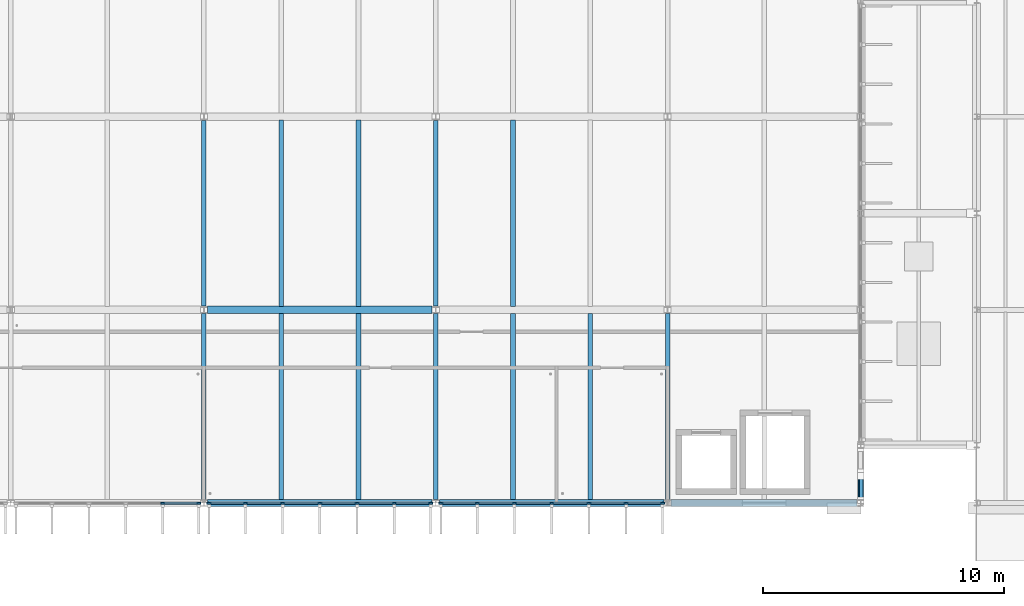
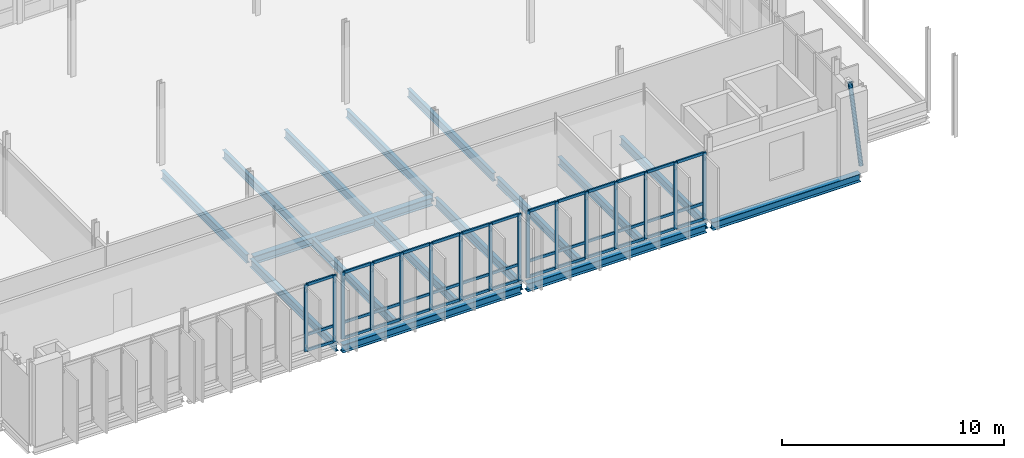
# One storey, part 30 of 93: 56 members, 16 beams, 3 elements without a shape of their own.
"""IFC4 building model written with IfcOpenShell, lengths in metres."""

import ifcopenshell
import ifcopenshell.guid

model = None  # the IFC model being written
_history = None  # IfcOwnerHistory: only IFC2X3 demands one
_inside = {}  # id of a spatial element -> (the spatial element, [elements in it])
_under = {}  # id of a project, library or spatial element -> (it, [spatial elements below it])
_declared = {}  # id of a project -> (the project, [libraries it declares])
_typed = {}  # id of a type object -> (the type object, [elements of that type])
_made_of = {}  # id of a material, layer set ... -> (it, [elements and type objects made of it])


def new_model(schema):
    """Start an empty IFC model of exactly this schema.

    Asked for "IFC4X3", IfcOpenShell would pick the latest addendum, in which some entities
    have other attributes; the version numbers below select the first issue.
    IFC2X3 requires an IfcOwnerHistory on every rooted entity: one is made here for all.
    """
    global model, _history
    if schema == "IFC4X3":
        model = ifcopenshell.file(schema_version=(4, 3, 0, 0))
    else:
        model = ifcopenshell.file(schema=schema)
    _inside.clear()
    _under.clear()
    _declared.clear()
    _typed.clear()
    _made_of.clear()
    _history = None
    if model.schema == "IFC2X3":
        org = make("IfcOrganization", Name="unknown")
        user = make(
            "IfcPersonAndOrganization",
            ThePerson=make("IfcPerson", FamilyName="unknown"),
            TheOrganization=org,
        )
        app = make(
            "IfcApplication",
            ApplicationDeveloper=org,
            Version="unknown",
            ApplicationFullName="unknown",
            ApplicationIdentifier="unknown",
        )
        _history = make(
            "IfcOwnerHistory",
            OwningUser=user,
            OwningApplication=app,
            ChangeAction="ADDED",
            CreationDate=0,
        )
    return model


def make(cls, **values):
    """One entity of the class cls with the attributes given. An attribute that is None is left unset."""
    return model.create_entity(
        cls, **{name: value for name, value in values.items() if value is not None}
    )


def rooted(cls, **values):
    """An entity with a GlobalId (a new one), such as an element, a storey or a relation."""
    return make(cls, GlobalId=ifcopenshell.guid.new(), OwnerHistory=_history, **values)


def si_unit(unit_type, name, prefix=None):
    """IfcSIUnit, for example si_unit("LENGTHUNIT", "METRE", prefix="MILLI")."""
    return make("IfcSIUnit", UnitType=unit_type, Prefix=prefix, Name=name)


def assignment(units):
    """IfcUnitAssignment: the units of a project."""
    return None if units is None else make("IfcUnitAssignment", Units=units)


def point(xyz):
    """IfcCartesianPoint."""
    return None if xyz is None else make("IfcCartesianPoint", Coordinates=xyz)


def direction(xyz):
    """IfcDirection."""
    return None if xyz is None else make("IfcDirection", DirectionRatios=xyz)


def frame(location, z_axis=None, x_axis=None):
    """IfcAxis2Placement3D, a coordinate frame: its origin and axes. An axis left out is left unset."""
    return make(
        "IfcAxis2Placement3D",
        Location=point(location),
        Axis=direction(z_axis),
        RefDirection=direction(x_axis),
    )


def frame_2d(location, x_axis=None):
    """IfcAxis2Placement2D, a coordinate frame in the plane: its origin and x axis."""
    return make(
        "IfcAxis2Placement2D", Location=point(location), RefDirection=direction(x_axis)
    )


def origin():
    """The frame at (0, 0, 0) with its axes left unset."""
    return frame((0.0, 0.0, 0.0))


def origin_2d():
    """The frame at (0, 0) in the plane with its x axis left unset."""
    return frame_2d((0.0, 0.0))


def place(relative_to, where):
    """IfcLocalPlacement: puts the frame where relative to a parent placement (None: the world)."""
    return make(
        "IfcLocalPlacement", PlacementRelTo=relative_to, RelativePlacement=where
    )


def context(
    kind, dimensions, precision=None, world=None, true_north=None, identifier=None
):
    """IfcGeometricRepresentationContext, for example the 3D "Model" context."""
    return make(
        "IfcGeometricRepresentationContext",
        ContextIdentifier=identifier,
        ContextType=kind,
        CoordinateSpaceDimension=dimensions,
        Precision=precision,
        WorldCoordinateSystem=world,
        TrueNorth=true_north,
    )


def subcontext(parent, identifier, kind, view, scale=None):
    """IfcGeometricRepresentationSubContext, for example "Body" below "Model"."""
    return make(
        "IfcGeometricRepresentationSubContext",
        ContextIdentifier=identifier,
        ContextType=kind,
        ParentContext=parent,
        TargetScale=scale,
        TargetView=view,
    )


def project(units=None, contexts=None):
    """IfcProject with its units and contexts."""
    return rooted(
        "IfcProject",
        Name="project",
        RepresentationContexts=contexts,
        UnitsInContext=assignment(units),
    )


def spatial(cls, under=None, at=None, **own):
    """A site, building, storey or space (cls), placed at a placement, below another one or the project."""
    s = rooted(cls, ObjectPlacement=at, **own)
    if under is not None:
        _under.setdefault(under.id(), (under, []))[1].append(s)
    return s


def profile(cls, at=None, kind="AREA", **sizes):
    """A parametric profile (cls). Its sizes go by their IFC names, for example OverallWidth=200.0."""
    return make(cls, ProfileType=kind, Position=at, **sizes)


def rectangle(**sizes):
    """IfcRectangleProfileDef."""
    return profile("IfcRectangleProfileDef", **sizes)


def hollow_circle(**sizes):
    """IfcCircleHollowProfileDef."""
    return profile("IfcCircleHollowProfileDef", **sizes)


def i_section(**sizes):
    """IfcIShapeProfileDef."""
    return profile("IfcIShapeProfileDef", **sizes)


def extrude(swept, where, along, depth):
    """IfcExtrudedAreaSolid: the profile swept, set in the frame where, extruded along a direction by depth."""
    return make(
        "IfcExtrudedAreaSolid",
        SweptArea=swept,
        Position=where,
        ExtrudedDirection=direction(along),
        Depth=depth,
    )


def shape(context_of_items, identifier, shape_type, items):
    """IfcShapeRepresentation: the items that make up one representation, for example the "Body"."""
    return make(
        "IfcShapeRepresentation",
        ContextOfItems=context_of_items,
        RepresentationIdentifier=identifier,
        RepresentationType=shape_type,
        Items=items,
    )


def material(Name=None, Category=None):
    """IfcMaterial."""
    return make("IfcMaterial", Name=Name, Category=Category)


def material_profile(
    of_material, cross_section, Name=None, Category=None, Priority=None
):
    """IfcMaterialProfile: a cross section and its material."""
    return make(
        "IfcMaterialProfile",
        Name=Name,
        Material=of_material,
        Profile=cross_section,
        Priority=Priority,
        Category=Category,
    )


def profile_set(profiles, Name=None, composite=None):
    """IfcMaterialProfileSet."""
    return make(
        "IfcMaterialProfileSet",
        Name=Name,
        MaterialProfiles=profiles,
        CompositeProfile=composite,
    )


def made_of(thing, what):
    """Note that an element or type object is made of a material, layer set ...; save() writes the relation."""
    if what is not None:
        _made_of.setdefault(what.id(), (what, []))[1].append(thing)
    return thing


def type_object(cls, material=None, **own):
    """A type object (cls), such as IfcWallType, which elements share."""
    return made_of(rooted(cls, **own), material)


def element(
    cls,
    number,
    at=None,
    inside=None,
    cuts=None,
    type_object=None,
    material=None,
    context=None,
    identifier="Body",
    shape_type=None,
    held_by="IfcProductDefinitionShape",
    body=None,
    shapes=None,
    **own,
):
    """One element of the class cls, such as IfcWall. Its Tag is "e" and its number.

    at: its placement. inside: the storey or other place that contains it. cuts: it is an
    opening in that element (IfcRelVoidsElement). A single representation is given by context,
    identifier, shape_type and body (its items); several are given by shapes. held_by: the class
    of the entity that holds the representations. save() writes the other relations.
    """
    e = rooted(cls, Tag="e%d" % number, ObjectPlacement=at, **own)
    if body is not None:
        shapes = [shape(context, identifier, shape_type, body)]
    if shapes is not None:
        e.Representation = make(held_by, Representations=shapes)
    if inside is not None:
        _inside.setdefault(inside.id(), (inside, []))[1].append(e)
    if cuts is not None:
        rooted(
            "IfcRelVoidsElement", RelatingBuildingElement=cuts, RelatedOpeningElement=e
        )
    if type_object is not None:
        _typed.setdefault(type_object.id(), (type_object, []))[1].append(e)
    return made_of(e, material)


def aggregate(whole, parts):
    """IfcRelAggregates: a whole, such as a stair, and the parts it consists of."""
    return rooted("IfcRelAggregates", RelatingObject=whole, RelatedObjects=parts)


def save(model, path):
    """Write the relations noted so far, then the file.

    IfcRelAggregates (storeys below a building ...), IfcRelContainedInSpatialStructure (elements
    in a storey), IfcRelDefinesByType, IfcRelAssociatesMaterial and IfcRelDeclares: one each for
    every whole, place, type object, material and project.
    """
    for whole, parts in _under.values():
        aggregate(whole, parts)
    for where, things in _inside.values():
        rooted(
            "IfcRelContainedInSpatialStructure",
            RelatedElements=things,
            RelatingStructure=where,
        )
    for kind, things in _typed.values():
        rooted("IfcRelDefinesByType", RelatedObjects=things, RelatingType=kind)
    for what, things in _made_of.values():
        rooted("IfcRelAssociatesMaterial", RelatedObjects=things, RelatingMaterial=what)
    for by, libraries in _declared.values():
        rooted("IfcRelDeclares", RelatingContext=by, RelatedDefinitions=libraries)
    model.write(path)


model = new_model("IFC4")

# Units and contexts
model_context = context("Model", 3, precision=1e-05, world=origin(), true_north=direction((0.0, 1.0)))
body_context = subcontext(model_context, "Body", "Model", "MODEL_VIEW")
ifc_project = project(units=[si_unit("LENGTHUNIT", "METRE"), si_unit("AREAUNIT", "SQUARE_METRE"), si_unit("VOLUMEUNIT", "CUBIC_METRE"), si_unit("PLANEANGLEUNIT", "RADIAN"), si_unit("MASSUNIT", "GRAM", prefix="KILO")], contexts=[model_context])

# Site, building, storey
site_placement = place(None, origin())
site = spatial("IfcSite", under=ifc_project, at=site_placement, CompositionType="ELEMENT")
building_placement = place(site_placement, origin())
building = spatial("IfcBuilding", under=site, at=building_placement, Name="Dunescarp Central Library", CompositionType="ELEMENT")
storey_placement = place(building_placement, frame((0.0, 0.0, 14.10009765625)))
storey = spatial("IfcBuildingStorey", under=building, at=storey_placement, Name="L03", CompositionType="ELEMENT", Elevation=14.10009765625)

# Curtain wall, members
ifc_material_1 = material(Name="Marine-grade anodised aluminium 6063-T6", Category="aluminium")
curtain_wall_type = type_object("IfcCurtainWallType", Name="ARC-CW-STICK", PredefinedType="NOTDEFINED", material=ifc_material_1)
curtain_wall_1_placement = place(storey_placement, origin())
curtain_wall_1 = element("IfcCurtainWall", 1, at=curtain_wall_1_placement, inside=storey, type_object=curtain_wall_type, Name="L03 curtain wall CW-V3-099", PredefinedType="NOTDEFINED")
ifc_material_profile_1 = material_profile(ifc_material_1, rectangle(XDim=0.080078125, YDim=0.179931640625, at=origin_2d()), Name="AL 80x180")
ifc_profile_set_1 = profile_set([ifc_material_profile_1], Name="Marine-grade anodised aluminium 6063-T6")
member_type_1 = type_object("IfcMemberType", Name="ARC-CWM-180", PredefinedType="MULLION", material=ifc_profile_set_1)
member_1_placement = place(storey_placement, frame((97.385009765625, 4.800048828125, 0.0), z_axis=(0.0, 0.0, 1.0), x_axis=(0.0, -1.0, 0.0)))
member_1 = element("IfcMember", 2, at=member_1_placement, type_object=member_type_1, Name="CW-V3-099 mullion 1", PredefinedType="MULLION", context=body_context, shape_type="SweptSolid", body=[
    extrude(rectangle(XDim=0.080078125, YDim=0.179931640625, at=origin_2d()), origin(), (0.0, 0.0, 1.0), 3.6748046875),
])
member_2_placement = place(storey_placement, frame((95.89501953125, 4.800048828125, 0.0), z_axis=(0.0, 0.0, 1.0), x_axis=(0.0, -1.0, 0.0)))
member_2 = element("IfcMember", 3, at=member_2_placement, type_object=member_type_1, Name="CW-V3-099 mullion 2", PredefinedType="MULLION", context=body_context, shape_type="SweptSolid", body=[
    extrude(rectangle(XDim=0.080078125, YDim=0.179931640625, at=origin_2d()), origin(), (0.0, 0.0, 1.0), 3.6748046875),
])

curtain_wall_2_placement = place(storey_placement, origin())
curtain_wall_2 = element("IfcCurtainWall", 4, at=curtain_wall_2_placement, inside=storey, type_object=curtain_wall_type, Name="L03 curtain wall CW-V3-100", PredefinedType="NOTDEFINED")
member_3_placement = place(storey_placement, frame((106.985107421875, 4.800048828125, 0.0), z_axis=(0.0, 0.0, 1.0), x_axis=(0.0, -1.0, 0.0)))
member_3 = element("IfcMember", 5, at=member_3_placement, type_object=member_type_1, Name="CW-V3-100 mullion 1", PredefinedType="MULLION", context=body_context, shape_type="SweptSolid", body=[
    extrude(rectangle(XDim=0.080078125, YDim=0.179931640625, at=origin_2d()), origin(), (0.0, 0.0, 1.0), 3.6748046875),
])
member_4_placement = place(storey_placement, frame((105.4833984375, 4.800048828125, 0.0), z_axis=(0.0, 0.0, 1.0), x_axis=(0.0, -1.0, 0.0)))
member_4 = element("IfcMember", 6, at=member_4_placement, type_object=member_type_1, Name="CW-V3-100 mullion 2", PredefinedType="MULLION", context=body_context, shape_type="SweptSolid", body=[
    extrude(rectangle(XDim=0.080078125, YDim=0.179931640625, at=origin_2d()), origin(), (0.0, 0.0, 1.0), 3.6748046875),
])
member_5_placement = place(storey_placement, frame((103.941650390625, 4.800048828125, 0.0), z_axis=(0.0, 0.0, 1.0), x_axis=(0.0, -1.0, 0.0)))
member_5 = element("IfcMember", 7, at=member_5_placement, type_object=member_type_1, Name="CW-V3-100 mullion 3", PredefinedType="MULLION", context=body_context, shape_type="SweptSolid", body=[
    extrude(rectangle(XDim=0.080078125, YDim=0.179931640625, at=origin_2d()), origin(), (0.0, 0.0, 1.0), 3.6748046875),
])
member_6_placement = place(storey_placement, frame((102.39990234375, 4.800048828125, 0.0), z_axis=(0.0, 0.0, 1.0), x_axis=(0.0, -1.0, 0.0)))
member_6 = element("IfcMember", 8, at=member_6_placement, type_object=member_type_1, Name="CW-V3-100 mullion 4", PredefinedType="MULLION", context=body_context, shape_type="SweptSolid", body=[
    extrude(rectangle(XDim=0.080078125, YDim=0.179931640625, at=origin_2d()), origin(), (0.0, 0.0, 1.0), 3.6748046875),
])
member_7_placement = place(storey_placement, frame((100.8583984375, 4.800048828125, 0.0), z_axis=(0.0, 0.0, 1.0), x_axis=(0.0, -1.0, 0.0)))
member_7 = element("IfcMember", 9, at=member_7_placement, type_object=member_type_1, Name="CW-V3-100 mullion 5", PredefinedType="MULLION", context=body_context, shape_type="SweptSolid", body=[
    extrude(rectangle(XDim=0.080078125, YDim=0.179931640625, at=origin_2d()), origin(), (0.0, 0.0, 1.0), 3.6748046875),
])
member_8_placement = place(storey_placement, frame((99.316650390625, 4.800048828125, 0.0), z_axis=(0.0, 0.0, 1.0), x_axis=(0.0, -1.0, 0.0)))
member_8 = element("IfcMember", 10, at=member_8_placement, type_object=member_type_1, Name="CW-V3-100 mullion 6", PredefinedType="MULLION", context=body_context, shape_type="SweptSolid", body=[
    extrude(rectangle(XDim=0.080078125, YDim=0.179931640625, at=origin_2d()), origin(), (0.0, 0.0, 1.0), 3.6748046875),
])
member_9_placement = place(storey_placement, frame((97.81494140625, 4.800048828125, 0.0), z_axis=(0.0, 0.0, 1.0), x_axis=(0.0, -1.0, 0.0)))
member_9 = element("IfcMember", 11, at=member_9_placement, type_object=member_type_1, Name="CW-V3-100 mullion 7", PredefinedType="MULLION", context=body_context, shape_type="SweptSolid", body=[
    extrude(rectangle(XDim=0.080078125, YDim=0.179931640625, at=origin_2d()), origin(), (0.0, 0.0, 1.0), 3.6748046875),
])

curtain_wall_3_placement = place(storey_placement, origin())
curtain_wall_3 = element("IfcCurtainWall", 12, at=curtain_wall_3_placement, inside=storey, type_object=curtain_wall_type, Name="L03 curtain wall CW-V3-101", PredefinedType="NOTDEFINED")
member_10_placement = place(storey_placement, frame((116.5849609375, 4.800048828125, 0.0), z_axis=(0.0, 0.0, 1.0), x_axis=(0.0, -1.0, 0.0)))
member_10 = element("IfcMember", 13, at=member_10_placement, type_object=member_type_1, Name="CW-V3-101 mullion 1", PredefinedType="MULLION", context=body_context, shape_type="SweptSolid", body=[
    extrude(rectangle(XDim=0.080078125, YDim=0.179931640625, at=origin_2d()), origin(), (0.0, 0.0, 1.0), 3.6748046875),
])
member_11_placement = place(storey_placement, frame((115.083251953125, 4.800048828125, 0.0), z_axis=(0.0, 0.0, 1.0), x_axis=(0.0, -1.0, 0.0)))
member_11 = element("IfcMember", 14, at=member_11_placement, type_object=member_type_1, Name="CW-V3-101 mullion 2", PredefinedType="MULLION", context=body_context, shape_type="SweptSolid", body=[
    extrude(rectangle(XDim=0.080078125, YDim=0.179931640625, at=origin_2d()), origin(), (0.0, 0.0, 1.0), 3.6748046875),
])
member_12_placement = place(storey_placement, frame((113.541748046875, 4.800048828125, 0.0), z_axis=(0.0, 0.0, 1.0), x_axis=(0.0, -1.0, 0.0)))
member_12 = element("IfcMember", 15, at=member_12_placement, type_object=member_type_1, Name="CW-V3-101 mullion 3", PredefinedType="MULLION", context=body_context, shape_type="SweptSolid", body=[
    extrude(rectangle(XDim=0.080078125, YDim=0.179931640625, at=origin_2d()), origin(), (0.0, 0.0, 1.0), 3.6748046875),
])
member_13_placement = place(storey_placement, frame((112.0, 4.800048828125, 0.0), z_axis=(0.0, 0.0, 1.0), x_axis=(0.0, -1.0, 0.0)))
member_13 = element("IfcMember", 16, at=member_13_placement, type_object=member_type_1, Name="CW-V3-101 mullion 4", PredefinedType="MULLION", context=body_context, shape_type="SweptSolid", body=[
    extrude(rectangle(XDim=0.080078125, YDim=0.179931640625, at=origin_2d()), origin(), (0.0, 0.0, 1.0), 3.6748046875),
])
member_14_placement = place(storey_placement, frame((110.458251953125, 4.800048828125, 0.0), z_axis=(0.0, 0.0, 1.0), x_axis=(0.0, -1.0, 0.0)))
member_14 = element("IfcMember", 17, at=member_14_placement, type_object=member_type_1, Name="CW-V3-101 mullion 5", PredefinedType="MULLION", context=body_context, shape_type="SweptSolid", body=[
    extrude(rectangle(XDim=0.080078125, YDim=0.179931640625, at=origin_2d()), origin(), (0.0, 0.0, 1.0), 3.6748046875),
])
member_15_placement = place(storey_placement, frame((108.916748046875, 4.800048828125, 0.0), z_axis=(0.0, 0.0, 1.0), x_axis=(0.0, -1.0, 0.0)))
member_15 = element("IfcMember", 18, at=member_15_placement, type_object=member_type_1, Name="CW-V3-101 mullion 6", PredefinedType="MULLION", context=body_context, shape_type="SweptSolid", body=[
    extrude(rectangle(XDim=0.080078125, YDim=0.179931640625, at=origin_2d()), origin(), (0.0, 0.0, 1.0), 3.6748046875),
])
member_16_placement = place(storey_placement, frame((107.4150390625, 4.800048828125, 0.0), z_axis=(0.0, 0.0, 1.0), x_axis=(0.0, -1.0, 0.0)))
member_16 = element("IfcMember", 19, at=member_16_placement, type_object=member_type_1, Name="CW-V3-101 mullion 7", PredefinedType="MULLION", context=body_context, shape_type="SweptSolid", body=[
    extrude(rectangle(XDim=0.080078125, YDim=0.179931640625, at=origin_2d()), origin(), (0.0, 0.0, 1.0), 3.6748046875),
])

# Member
ifc_material_profile_2 = material_profile(ifc_material_1, rectangle(XDim=0.080078125, YDim=0.14990234375, at=origin_2d()), Name="AL 80x150")
ifc_profile_set_2 = profile_set([ifc_material_profile_2], Name="Marine-grade anodised aluminium 6063-T6")
member_type_2 = type_object("IfcMemberType", Name="ARC-CWT-150", PredefinedType="USERDEFINED", material=ifc_profile_set_2)
member_17_placement = place(storey_placement, frame((97.344970703125, 4.800048828125, 0.039794921875), z_axis=(-1.0, 0.0, 0.0), x_axis=(0.0, -1.0, 0.0)))
member_17 = element("IfcMember", 20, at=member_17_placement, type_object=member_type_2, Name="CW-V3-099 transom 1.1", ObjectType="TRANSOM", PredefinedType="USERDEFINED", context=body_context, shape_type="SweptSolid", body=[
    extrude(rectangle(XDim=0.080078125, YDim=0.14990234375, at=origin_2d()), origin(), (0.0, 0.0, 1.0), 1.409912109375),
])

member_18_placement = place(storey_placement, frame((97.344970703125, 4.800048828125, 0.89990234375), z_axis=(-1.0, 0.0, 0.0), x_axis=(0.0, -1.0, 0.0)))
member_18 = element("IfcMember", 21, at=member_18_placement, type_object=member_type_2, Name="CW-V3-099 transom 1.2", ObjectType="TRANSOM", PredefinedType="USERDEFINED", context=body_context, shape_type="SweptSolid", body=[
    extrude(rectangle(XDim=0.080078125, YDim=0.14990234375, at=origin_2d()), origin(), (0.0, 0.0, 1.0), 1.409912109375),
])

member_19_placement = place(storey_placement, frame((97.344970703125, 4.800048828125, 3.635009765625), z_axis=(-1.0, 0.0, 0.0), x_axis=(0.0, -1.0, 0.0)))
member_19 = element("IfcMember", 22, at=member_19_placement, type_object=member_type_2, Name="CW-V3-099 transom 1.3", ObjectType="TRANSOM", PredefinedType="USERDEFINED", context=body_context, shape_type="SweptSolid", body=[
    extrude(rectangle(XDim=0.080078125, YDim=0.14990234375, at=origin_2d()), origin(), (0.0, 0.0, 1.0), 1.409912109375),
])

aggregate(curtain_wall_1, [member_1, member_2, member_17, member_18, member_19])

member_20_placement = place(storey_placement, frame((106.945068359375, 4.800048828125, 0.039794921875), z_axis=(-1.0, 0.0, 0.0), x_axis=(0.0, -1.0, 0.0)))
member_20 = element("IfcMember", 23, at=member_20_placement, type_object=member_type_2, Name="CW-V3-100 transom 1.1", ObjectType="TRANSOM", PredefinedType="USERDEFINED", context=body_context, shape_type="SweptSolid", body=[
    extrude(rectangle(XDim=0.080078125, YDim=0.14990234375, at=origin_2d()), origin(), (0.0, 0.0, 1.0), 1.421630859375),
])

member_21_placement = place(storey_placement, frame((106.945068359375, 4.800048828125, 0.89990234375), z_axis=(-1.0, 0.0, 0.0), x_axis=(0.0, -1.0, 0.0)))
member_21 = element("IfcMember", 24, at=member_21_placement, type_object=member_type_2, Name="CW-V3-100 transom 1.2", ObjectType="TRANSOM", PredefinedType="USERDEFINED", context=body_context, shape_type="SweptSolid", body=[
    extrude(rectangle(XDim=0.080078125, YDim=0.14990234375, at=origin_2d()), origin(), (0.0, 0.0, 1.0), 1.421630859375),
])

member_22_placement = place(storey_placement, frame((106.945068359375, 4.800048828125, 3.635009765625), z_axis=(-1.0, 0.0, 0.0), x_axis=(0.0, -1.0, 0.0)))
member_22 = element("IfcMember", 25, at=member_22_placement, type_object=member_type_2, Name="CW-V3-100 transom 1.3", ObjectType="TRANSOM", PredefinedType="USERDEFINED", context=body_context, shape_type="SweptSolid", body=[
    extrude(rectangle(XDim=0.080078125, YDim=0.14990234375, at=origin_2d()), origin(), (0.0, 0.0, 1.0), 1.421630859375),
])

member_23_placement = place(storey_placement, frame((105.443359375, 4.800048828125, 0.039794921875), z_axis=(-1.0, 0.0, 0.0), x_axis=(0.0, -1.0, 0.0)))
member_23 = element("IfcMember", 26, at=member_23_placement, type_object=member_type_2, Name="CW-V3-100 transom 2.1", ObjectType="TRANSOM", PredefinedType="USERDEFINED", context=body_context, shape_type="SweptSolid", body=[
    extrude(rectangle(XDim=0.080078125, YDim=0.14990234375, at=origin_2d()), origin(), (0.0, 0.0, 1.0), 1.461669921875),
])

member_24_placement = place(storey_placement, frame((105.443359375, 4.800048828125, 0.89990234375), z_axis=(-1.0, 0.0, 0.0), x_axis=(0.0, -1.0, 0.0)))
member_24 = element("IfcMember", 27, at=member_24_placement, type_object=member_type_2, Name="CW-V3-100 transom 2.2", ObjectType="TRANSOM", PredefinedType="USERDEFINED", context=body_context, shape_type="SweptSolid", body=[
    extrude(rectangle(XDim=0.080078125, YDim=0.14990234375, at=origin_2d()), origin(), (0.0, 0.0, 1.0), 1.461669921875),
])

member_25_placement = place(storey_placement, frame((105.443359375, 4.800048828125, 3.635009765625), z_axis=(-1.0, 0.0, 0.0), x_axis=(0.0, -1.0, 0.0)))
member_25 = element("IfcMember", 28, at=member_25_placement, type_object=member_type_2, Name="CW-V3-100 transom 2.3", ObjectType="TRANSOM", PredefinedType="USERDEFINED", context=body_context, shape_type="SweptSolid", body=[
    extrude(rectangle(XDim=0.080078125, YDim=0.14990234375, at=origin_2d()), origin(), (0.0, 0.0, 1.0), 1.461669921875),
])

member_26_placement = place(storey_placement, frame((103.901611328125, 4.800048828125, 0.039794921875), z_axis=(-1.0, 0.0, 0.0), x_axis=(0.0, -1.0, 0.0)))
member_26 = element("IfcMember", 29, at=member_26_placement, type_object=member_type_2, Name="CW-V3-100 transom 3.1", ObjectType="TRANSOM", PredefinedType="USERDEFINED", context=body_context, shape_type="SweptSolid", body=[
    extrude(rectangle(XDim=0.080078125, YDim=0.14990234375, at=origin_2d()), origin(), (0.0, 0.0, 1.0), 1.461669921875),
])

member_27_placement = place(storey_placement, frame((103.901611328125, 4.800048828125, 0.89990234375), z_axis=(-1.0, 0.0, 0.0), x_axis=(0.0, -1.0, 0.0)))
member_27 = element("IfcMember", 30, at=member_27_placement, type_object=member_type_2, Name="CW-V3-100 transom 3.2", ObjectType="TRANSOM", PredefinedType="USERDEFINED", context=body_context, shape_type="SweptSolid", body=[
    extrude(rectangle(XDim=0.080078125, YDim=0.14990234375, at=origin_2d()), origin(), (0.0, 0.0, 1.0), 1.461669921875),
])

member_28_placement = place(storey_placement, frame((103.901611328125, 4.800048828125, 3.635009765625), z_axis=(-1.0, 0.0, 0.0), x_axis=(0.0, -1.0, 0.0)))
member_28 = element("IfcMember", 31, at=member_28_placement, type_object=member_type_2, Name="CW-V3-100 transom 3.3", ObjectType="TRANSOM", PredefinedType="USERDEFINED", context=body_context, shape_type="SweptSolid", body=[
    extrude(rectangle(XDim=0.080078125, YDim=0.14990234375, at=origin_2d()), origin(), (0.0, 0.0, 1.0), 1.461669921875),
])

member_29_placement = place(storey_placement, frame((102.360107421875, 4.800048828125, 0.039794921875), z_axis=(-1.0, 0.0, 0.0), x_axis=(0.0, -1.0, 0.0)))
member_29 = element("IfcMember", 32, at=member_29_placement, type_object=member_type_2, Name="CW-V3-100 transom 4.1", ObjectType="TRANSOM", PredefinedType="USERDEFINED", context=body_context, shape_type="SweptSolid", body=[
    extrude(rectangle(XDim=0.080078125, YDim=0.14990234375, at=origin_2d()), origin(), (0.0, 0.0, 1.0), 1.461669921875),
])

member_30_placement = place(storey_placement, frame((102.360107421875, 4.800048828125, 0.89990234375), z_axis=(-1.0, 0.0, 0.0), x_axis=(0.0, -1.0, 0.0)))
member_30 = element("IfcMember", 33, at=member_30_placement, type_object=member_type_2, Name="CW-V3-100 transom 4.2", ObjectType="TRANSOM", PredefinedType="USERDEFINED", context=body_context, shape_type="SweptSolid", body=[
    extrude(rectangle(XDim=0.080078125, YDim=0.14990234375, at=origin_2d()), origin(), (0.0, 0.0, 1.0), 1.461669921875),
])

member_31_placement = place(storey_placement, frame((102.360107421875, 4.800048828125, 3.635009765625), z_axis=(-1.0, 0.0, 0.0), x_axis=(0.0, -1.0, 0.0)))
member_31 = element("IfcMember", 34, at=member_31_placement, type_object=member_type_2, Name="CW-V3-100 transom 4.3", ObjectType="TRANSOM", PredefinedType="USERDEFINED", context=body_context, shape_type="SweptSolid", body=[
    extrude(rectangle(XDim=0.080078125, YDim=0.14990234375, at=origin_2d()), origin(), (0.0, 0.0, 1.0), 1.461669921875),
])

member_32_placement = place(storey_placement, frame((100.818359375, 4.800048828125, 0.039794921875), z_axis=(-1.0, 0.0, 0.0), x_axis=(0.0, -1.0, 0.0)))
member_32 = element("IfcMember", 35, at=member_32_placement, type_object=member_type_2, Name="CW-V3-100 transom 5.1", ObjectType="TRANSOM", PredefinedType="USERDEFINED", context=body_context, shape_type="SweptSolid", body=[
    extrude(rectangle(XDim=0.080078125, YDim=0.14990234375, at=origin_2d()), origin(), (0.0, 0.0, 1.0), 1.461669921875),
])

member_33_placement = place(storey_placement, frame((100.818359375, 4.800048828125, 0.89990234375), z_axis=(-1.0, 0.0, 0.0), x_axis=(0.0, -1.0, 0.0)))
member_33 = element("IfcMember", 36, at=member_33_placement, type_object=member_type_2, Name="CW-V3-100 transom 5.2", ObjectType="TRANSOM", PredefinedType="USERDEFINED", context=body_context, shape_type="SweptSolid", body=[
    extrude(rectangle(XDim=0.080078125, YDim=0.14990234375, at=origin_2d()), origin(), (0.0, 0.0, 1.0), 1.461669921875),
])

member_34_placement = place(storey_placement, frame((100.818359375, 4.800048828125, 3.635009765625), z_axis=(-1.0, 0.0, 0.0), x_axis=(0.0, -1.0, 0.0)))
member_34 = element("IfcMember", 37, at=member_34_placement, type_object=member_type_2, Name="CW-V3-100 transom 5.3", ObjectType="TRANSOM", PredefinedType="USERDEFINED", context=body_context, shape_type="SweptSolid", body=[
    extrude(rectangle(XDim=0.080078125, YDim=0.14990234375, at=origin_2d()), origin(), (0.0, 0.0, 1.0), 1.461669921875),
])

member_35_placement = place(storey_placement, frame((99.276611328125, 4.800048828125, 0.039794921875), z_axis=(-1.0, 0.0, 0.0), x_axis=(0.0, -1.0, 0.0)))
member_35 = element("IfcMember", 38, at=member_35_placement, type_object=member_type_2, Name="CW-V3-100 transom 6.1", ObjectType="TRANSOM", PredefinedType="USERDEFINED", context=body_context, shape_type="SweptSolid", body=[
    extrude(rectangle(XDim=0.080078125, YDim=0.14990234375, at=origin_2d()), origin(), (0.0, 0.0, 1.0), 1.421630859375),
])

member_36_placement = place(storey_placement, frame((99.276611328125, 4.800048828125, 0.89990234375), z_axis=(-1.0, 0.0, 0.0), x_axis=(0.0, -1.0, 0.0)))
member_36 = element("IfcMember", 39, at=member_36_placement, type_object=member_type_2, Name="CW-V3-100 transom 6.2", ObjectType="TRANSOM", PredefinedType="USERDEFINED", context=body_context, shape_type="SweptSolid", body=[
    extrude(rectangle(XDim=0.080078125, YDim=0.14990234375, at=origin_2d()), origin(), (0.0, 0.0, 1.0), 1.421630859375),
])

member_37_placement = place(storey_placement, frame((99.276611328125, 4.800048828125, 3.635009765625), z_axis=(-1.0, 0.0, 0.0), x_axis=(0.0, -1.0, 0.0)))
member_37 = element("IfcMember", 40, at=member_37_placement, type_object=member_type_2, Name="CW-V3-100 transom 6.3", ObjectType="TRANSOM", PredefinedType="USERDEFINED", context=body_context, shape_type="SweptSolid", body=[
    extrude(rectangle(XDim=0.080078125, YDim=0.14990234375, at=origin_2d()), origin(), (0.0, 0.0, 1.0), 1.421630859375),
])

aggregate(curtain_wall_2, [member_3, member_4, member_5, member_6, member_7, member_8, member_9, member_20, member_21, member_22, member_23, member_24, member_25, member_26, member_27, member_28, member_29, member_30, member_31, member_32, member_33, member_34, member_35, member_36, member_37])

member_38_placement = place(storey_placement, frame((116.544921875, 4.800048828125, 0.039794921875), z_axis=(-1.0, 0.0, 0.0), x_axis=(0.0, -1.0, 0.0)))
member_38 = element("IfcMember", 41, at=member_38_placement, type_object=member_type_2, Name="CW-V3-101 transom 1.1", ObjectType="TRANSOM", PredefinedType="USERDEFINED", context=body_context, shape_type="SweptSolid", body=[
    extrude(rectangle(XDim=0.080078125, YDim=0.14990234375, at=origin_2d()), origin(), (0.0, 0.0, 1.0), 1.421630859375),
])

member_39_placement = place(storey_placement, frame((116.544921875, 4.800048828125, 0.89990234375), z_axis=(-1.0, 0.0, 0.0), x_axis=(0.0, -1.0, 0.0)))
member_39 = element("IfcMember", 42, at=member_39_placement, type_object=member_type_2, Name="CW-V3-101 transom 1.2", ObjectType="TRANSOM", PredefinedType="USERDEFINED", context=body_context, shape_type="SweptSolid", body=[
    extrude(rectangle(XDim=0.080078125, YDim=0.14990234375, at=origin_2d()), origin(), (0.0, 0.0, 1.0), 1.421630859375),
])

member_40_placement = place(storey_placement, frame((116.544921875, 4.800048828125, 3.635009765625), z_axis=(-1.0, 0.0, 0.0), x_axis=(0.0, -1.0, 0.0)))
member_40 = element("IfcMember", 43, at=member_40_placement, type_object=member_type_2, Name="CW-V3-101 transom 1.3", ObjectType="TRANSOM", PredefinedType="USERDEFINED", context=body_context, shape_type="SweptSolid", body=[
    extrude(rectangle(XDim=0.080078125, YDim=0.14990234375, at=origin_2d()), origin(), (0.0, 0.0, 1.0), 1.421630859375),
])

member_41_placement = place(storey_placement, frame((115.043212890625, 4.800048828125, 0.039794921875), z_axis=(-1.0, 0.0, 0.0), x_axis=(0.0, -1.0, 0.0)))
member_41 = element("IfcMember", 44, at=member_41_placement, type_object=member_type_2, Name="CW-V3-101 transom 2.1", ObjectType="TRANSOM", PredefinedType="USERDEFINED", context=body_context, shape_type="SweptSolid", body=[
    extrude(rectangle(XDim=0.080078125, YDim=0.14990234375, at=origin_2d()), origin(), (0.0, 0.0, 1.0), 1.46142578125),
])

member_42_placement = place(storey_placement, frame((115.043212890625, 4.800048828125, 0.89990234375), z_axis=(-1.0, 0.0, 0.0), x_axis=(0.0, -1.0, 0.0)))
member_42 = element("IfcMember", 45, at=member_42_placement, type_object=member_type_2, Name="CW-V3-101 transom 2.2", ObjectType="TRANSOM", PredefinedType="USERDEFINED", context=body_context, shape_type="SweptSolid", body=[
    extrude(rectangle(XDim=0.080078125, YDim=0.14990234375, at=origin_2d()), origin(), (0.0, 0.0, 1.0), 1.46142578125),
])

member_43_placement = place(storey_placement, frame((115.043212890625, 4.800048828125, 3.635009765625), z_axis=(-1.0, 0.0, 0.0), x_axis=(0.0, -1.0, 0.0)))
member_43 = element("IfcMember", 46, at=member_43_placement, type_object=member_type_2, Name="CW-V3-101 transom 2.3", ObjectType="TRANSOM", PredefinedType="USERDEFINED", context=body_context, shape_type="SweptSolid", body=[
    extrude(rectangle(XDim=0.080078125, YDim=0.14990234375, at=origin_2d()), origin(), (0.0, 0.0, 1.0), 1.46142578125),
])

member_44_placement = place(storey_placement, frame((113.501708984375, 4.800048828125, 0.039794921875), z_axis=(-1.0, 0.0, 0.0), x_axis=(0.0, -1.0, 0.0)))
member_44 = element("IfcMember", 47, at=member_44_placement, type_object=member_type_2, Name="CW-V3-101 transom 3.1", ObjectType="TRANSOM", PredefinedType="USERDEFINED", context=body_context, shape_type="SweptSolid", body=[
    extrude(rectangle(XDim=0.080078125, YDim=0.14990234375, at=origin_2d()), origin(), (0.0, 0.0, 1.0), 1.461669921875),
])

member_45_placement = place(storey_placement, frame((113.501708984375, 4.800048828125, 0.89990234375), z_axis=(-1.0, 0.0, 0.0), x_axis=(0.0, -1.0, 0.0)))
member_45 = element("IfcMember", 48, at=member_45_placement, type_object=member_type_2, Name="CW-V3-101 transom 3.2", ObjectType="TRANSOM", PredefinedType="USERDEFINED", context=body_context, shape_type="SweptSolid", body=[
    extrude(rectangle(XDim=0.080078125, YDim=0.14990234375, at=origin_2d()), origin(), (0.0, 0.0, 1.0), 1.461669921875),
])

member_46_placement = place(storey_placement, frame((113.501708984375, 4.800048828125, 3.635009765625), z_axis=(-1.0, 0.0, 0.0), x_axis=(0.0, -1.0, 0.0)))
member_46 = element("IfcMember", 49, at=member_46_placement, type_object=member_type_2, Name="CW-V3-101 transom 3.3", ObjectType="TRANSOM", PredefinedType="USERDEFINED", context=body_context, shape_type="SweptSolid", body=[
    extrude(rectangle(XDim=0.080078125, YDim=0.14990234375, at=origin_2d()), origin(), (0.0, 0.0, 1.0), 1.461669921875),
])

member_47_placement = place(storey_placement, frame((111.9599609375, 4.800048828125, 0.039794921875), z_axis=(-1.0, 0.0, 0.0), x_axis=(0.0, -1.0, 0.0)))
member_47 = element("IfcMember", 50, at=member_47_placement, type_object=member_type_2, Name="CW-V3-101 transom 4.1", ObjectType="TRANSOM", PredefinedType="USERDEFINED", context=body_context, shape_type="SweptSolid", body=[
    extrude(rectangle(XDim=0.080078125, YDim=0.14990234375, at=origin_2d()), origin(), (0.0, 0.0, 1.0), 1.461669921875),
])

member_48_placement = place(storey_placement, frame((111.9599609375, 4.800048828125, 0.89990234375), z_axis=(-1.0, 0.0, 0.0), x_axis=(0.0, -1.0, 0.0)))
member_48 = element("IfcMember", 51, at=member_48_placement, type_object=member_type_2, Name="CW-V3-101 transom 4.2", ObjectType="TRANSOM", PredefinedType="USERDEFINED", context=body_context, shape_type="SweptSolid", body=[
    extrude(rectangle(XDim=0.080078125, YDim=0.14990234375, at=origin_2d()), origin(), (0.0, 0.0, 1.0), 1.461669921875),
])

member_49_placement = place(storey_placement, frame((111.9599609375, 4.800048828125, 3.635009765625), z_axis=(-1.0, 0.0, 0.0), x_axis=(0.0, -1.0, 0.0)))
member_49 = element("IfcMember", 52, at=member_49_placement, type_object=member_type_2, Name="CW-V3-101 transom 4.3", ObjectType="TRANSOM", PredefinedType="USERDEFINED", context=body_context, shape_type="SweptSolid", body=[
    extrude(rectangle(XDim=0.080078125, YDim=0.14990234375, at=origin_2d()), origin(), (0.0, 0.0, 1.0), 1.461669921875),
])

member_50_placement = place(storey_placement, frame((110.418212890625, 4.800048828125, 0.039794921875), z_axis=(-1.0, 0.0, 0.0), x_axis=(0.0, -1.0, 0.0)))
member_50 = element("IfcMember", 53, at=member_50_placement, type_object=member_type_2, Name="CW-V3-101 transom 5.1", ObjectType="TRANSOM", PredefinedType="USERDEFINED", context=body_context, shape_type="SweptSolid", body=[
    extrude(rectangle(XDim=0.080078125, YDim=0.14990234375, at=origin_2d()), origin(), (0.0, 0.0, 1.0), 1.46142578125),
])

member_51_placement = place(storey_placement, frame((110.418212890625, 4.800048828125, 0.89990234375), z_axis=(-1.0, 0.0, 0.0), x_axis=(0.0, -1.0, 0.0)))
member_51 = element("IfcMember", 54, at=member_51_placement, type_object=member_type_2, Name="CW-V3-101 transom 5.2", ObjectType="TRANSOM", PredefinedType="USERDEFINED", context=body_context, shape_type="SweptSolid", body=[
    extrude(rectangle(XDim=0.080078125, YDim=0.14990234375, at=origin_2d()), origin(), (0.0, 0.0, 1.0), 1.46142578125),
])

member_52_placement = place(storey_placement, frame((110.418212890625, 4.800048828125, 3.635009765625), z_axis=(-1.0, 0.0, 0.0), x_axis=(0.0, -1.0, 0.0)))
member_52 = element("IfcMember", 55, at=member_52_placement, type_object=member_type_2, Name="CW-V3-101 transom 5.3", ObjectType="TRANSOM", PredefinedType="USERDEFINED", context=body_context, shape_type="SweptSolid", body=[
    extrude(rectangle(XDim=0.080078125, YDim=0.14990234375, at=origin_2d()), origin(), (0.0, 0.0, 1.0), 1.46142578125),
])

member_53_placement = place(storey_placement, frame((108.876708984375, 4.800048828125, 0.039794921875), z_axis=(-1.0, 0.0, 0.0), x_axis=(0.0, -1.0, 0.0)))
member_53 = element("IfcMember", 56, at=member_53_placement, type_object=member_type_2, Name="CW-V3-101 transom 6.1", ObjectType="TRANSOM", PredefinedType="USERDEFINED", context=body_context, shape_type="SweptSolid", body=[
    extrude(rectangle(XDim=0.080078125, YDim=0.14990234375, at=origin_2d()), origin(), (0.0, 0.0, 1.0), 1.421630859375),
])

member_54_placement = place(storey_placement, frame((108.876708984375, 4.800048828125, 0.89990234375), z_axis=(-1.0, 0.0, 0.0), x_axis=(0.0, -1.0, 0.0)))
member_54 = element("IfcMember", 57, at=member_54_placement, type_object=member_type_2, Name="CW-V3-101 transom 6.2", ObjectType="TRANSOM", PredefinedType="USERDEFINED", context=body_context, shape_type="SweptSolid", body=[
    extrude(rectangle(XDim=0.080078125, YDim=0.14990234375, at=origin_2d()), origin(), (0.0, 0.0, 1.0), 1.421630859375),
])

member_55_placement = place(storey_placement, frame((108.876708984375, 4.800048828125, 3.635009765625), z_axis=(-1.0, 0.0, 0.0), x_axis=(0.0, -1.0, 0.0)))
member_55 = element("IfcMember", 58, at=member_55_placement, type_object=member_type_2, Name="CW-V3-101 transom 6.3", ObjectType="TRANSOM", PredefinedType="USERDEFINED", context=body_context, shape_type="SweptSolid", body=[
    extrude(rectangle(XDim=0.080078125, YDim=0.14990234375, at=origin_2d()), origin(), (0.0, 0.0, 1.0), 1.421630859375),
])

aggregate(curtain_wall_3, [member_10, member_11, member_12, member_13, member_14, member_15, member_16, member_38, member_39, member_40, member_41, member_42, member_43, member_44, member_45, member_46, member_47, member_48, member_49, member_50, member_51, member_52, member_53, member_54, member_55])

# Beams
ifc_material_2 = material(Name="Steel S355JR", Category="steel")
ifc_material_profile_3 = material_profile(ifc_material_2, i_section(OverallWidth=0.300048828125, OverallDepth=0.43994140625, WebThickness=0.011474609375, FlangeThickness=0.02099609375, at=origin_2d()), Name="HEA 450")
ifc_profile_set_3 = profile_set([ifc_material_profile_3], Name="Steel S355JR")
beam_type_1 = type_object("IfcBeamType", Name="STR-BM-HEA450", PredefinedType="BEAM", material=ifc_profile_set_3)
for number, where, z_axis, x_axis, name in (
    (59, (97.7509765625, 4.800048828125, -0.460205078125), (1.0, 0.0, 0.0), (0.0, 1.0, 0.0), "L03 girder BM-L03-0839"),
    (60, (97.7509765625, 12.800048828125, -0.460205078125), (1.0, 0.0, 0.0), (0.0, 1.0, 0.0), "L03 girder BM-L03-0840"),
):
    element("IfcBeam", number, at=place(storey_placement, frame(where, z_axis=z_axis, x_axis=x_axis)), inside=storey, type_object=beam_type_1, Name=name, PredefinedType="BEAM", context=body_context, shape_type="SweptSolid", body=[
        extrude(i_section(OverallWidth=0.300048828125, OverallDepth=0.43994140625, WebThickness=0.011474609375, FlangeThickness=0.02099609375, at=origin_2d()), origin(), (0.0, 0.0, 1.0), 9.298095703125),
    ])
beam_1_placement = place(storey_placement, frame((107.35107421875, 4.800048828125, -0.460205078125), z_axis=(1.0, 0.0, 0.0), x_axis=(0.0, 1.0, 0.0)))
element("IfcBeam", 61, at=beam_1_placement, inside=storey, type_object=beam_type_1, Name="L03 girder BM-L03-0856", PredefinedType="BEAM", context=body_context, shape_type="SweptSolid", body=[
    extrude(i_section(OverallWidth=0.300048828125, OverallDepth=0.43994140625, WebThickness=0.011474609375, FlangeThickness=0.02099609375, at=origin_2d()), origin(), (0.0, 0.0, 1.0), 9.2978515625),
])
beam_2_placement = place(storey_placement, frame((116.950927734375, 4.800048828125, -0.460205078125), z_axis=(1.0, 0.0, 0.0), x_axis=(0.0, 1.0, 0.0)))
element("IfcBeam", 62, at=beam_2_placement, inside=storey, type_object=beam_type_1, Name="L03 girder BM-L03-0873", PredefinedType="BEAM", context=body_context, shape_type="SweptSolid", body=[
    extrude(i_section(OverallWidth=0.300048828125, OverallDepth=0.43994140625, WebThickness=0.011474609375, FlangeThickness=0.02099609375, at=origin_2d()), origin(), (0.0, 0.0, 1.0), 7.697998046875),
])
ifc_material_profile_4 = material_profile(ifc_material_2, i_section(OverallWidth=0.19140625, OverallDepth=0.4599609375, WebThickness=0.010009765625, FlangeThickness=0.01611328125, at=origin_2d()), Name="UB 457x191x82")
ifc_profile_set_4 = profile_set([ifc_material_profile_4], Name="Steel S355JR")
beam_type_2 = type_object("IfcBeamType", Name="STR-BM-UB457X82", PredefinedType="BEAM", material=ifc_profile_set_4)
for number, where, z_axis, x_axis, name in (
    (63, (97.60009765625, 4.9541015625, -0.47021484375), (0.0, 1.0, 0.0), (-1.0, 0.0, 0.0), "L03 girder BM-L03-0828"),
    (64, (97.60009765625, 12.9541015625, -0.47021484375), (0.0, 1.0, 0.0), (-1.0, 0.0, 0.0), "L03 girder BM-L03-0831"),
    (65, (107.199951171875, 4.9541015625, -0.47021484375), (0.0, 1.0, 0.0), (-1.0, 0.0, 0.0), "L03 girder BM-L03-0841"),
    (66, (107.199951171875, 12.9541015625, -0.47021484375), (0.0, 1.0, 0.0), (-1.0, 0.0, 0.0), "L03 girder BM-L03-0845"),
    (67, (116.800048828125, 4.9541015625, -0.47021484375), (0.0, 1.0, 0.0), (-1.0, 0.0, 0.0), "L03 girder BM-L03-0858"),
):
    element("IfcBeam", number, at=place(storey_placement, frame(where, z_axis=z_axis, x_axis=x_axis)), inside=storey, type_object=beam_type_2, Name=name, PredefinedType="BEAM", context=body_context, shape_type="SweptSolid", body=[
        extrude(i_section(OverallWidth=0.19140625, OverallDepth=0.4599609375, WebThickness=0.010009765625, FlangeThickness=0.01611328125, at=origin_2d()), origin(), (0.0, 0.0, 1.0), 7.69189453125),
    ])

# Member
ifc_material_3 = material(Name="Steel S355J0", Category="steel")
ifc_material_profile_5 = material_profile(ifc_material_3, hollow_circle(Radius=0.109619140625, WallThickness=0.010009765625, at=origin_2d()), Name="CHS 219.1x10")
ifc_profile_set_5 = profile_set([ifc_material_profile_5], Name="Steel S355J0")
member_type_3 = type_object("IfcMemberType", Name="STR-BR-219", PredefinedType="BRACE", material=ifc_profile_set_5)
member_56_placement = place(storey_placement, frame((124.800048828125, 4.919921875, 0.0), z_axis=(0.0, 0.241965696153, 0.970284804521), x_axis=(-1.0, 0.0, 0.0)))
element("IfcMember", 68, at=member_56_placement, inside=storey, type_object=member_type_3, Name="L03 concentric brace BR-L03-047", PredefinedType="BRACE", context=body_context, shape_type="SweptSolid", body=[
    extrude(hollow_circle(Radius=0.109619140625, WallThickness=0.010009765625, at=origin_2d()), origin(), (0.0, 0.0, 1.0), 4.1328125),
])

# Beams
ifc_material_profile_6 = material_profile(ifc_material_2, i_section(OverallWidth=0.18994140625, OverallDepth=0.449951171875, WebThickness=0.009521484375, FlangeThickness=0.0146484375, at=origin_2d()), Name="IPE 450")
ifc_profile_set_6 = profile_set([ifc_material_profile_6], Name="Steel S355JR")
beam_type_3 = type_object("IfcBeamType", Name="STR-JS-IPE450", PredefinedType="JOIST", material=ifc_profile_set_6)
for number, where, z_axis, x_axis, name in (
    (69, (100.800048828125, 4.947998046875, -0.465087890625), (0.0, 1.0, 0.0), (-1.0, 0.0, 0.0), "L03 joist JS-L03-0842"),
    (70, (104.0, 4.947998046875, -0.465087890625), (0.0, 1.0, 0.0), (-1.0, 0.0, 0.0), "L03 joist JS-L03-0843"),
    (71, (100.800048828125, 12.947998046875, -0.465087890625), (0.0, 1.0, 0.0), (-1.0, 0.0, 0.0), "L03 joist JS-L03-0846"),
    (72, (104.0, 12.947998046875, -0.465087890625), (0.0, 1.0, 0.0), (-1.0, 0.0, 0.0), "L03 joist JS-L03-0847"),
    (73, (110.39990234375, 4.947998046875, -0.465087890625), (0.0, 1.0, 0.0), (-1.0, 0.0, 0.0), "L03 joist JS-L03-0859"),
    (74, (113.60009765625, 4.947998046875, -0.465087890625), (0.0, 1.0, 0.0), (-1.0, 0.0, 0.0), "L03 joist JS-L03-0860"),
    (75, (110.39990234375, 12.947998046875, -0.465087890625), (0.0, 1.0, 0.0), (-1.0, 0.0, 0.0), "L03 joist JS-L03-0863"),
):
    element("IfcBeam", number, at=place(storey_placement, frame(where, z_axis=z_axis, x_axis=x_axis)), inside=storey, type_object=beam_type_3, Name=name, PredefinedType="JOIST", context=body_context, shape_type="SweptSolid", body=[
        extrude(i_section(OverallWidth=0.18994140625, OverallDepth=0.449951171875, WebThickness=0.009521484375, FlangeThickness=0.0146484375, at=origin_2d()), origin(), (0.0, 0.0, 1.0), 7.7041015625),
    ])

save(model, "model.ifc")
